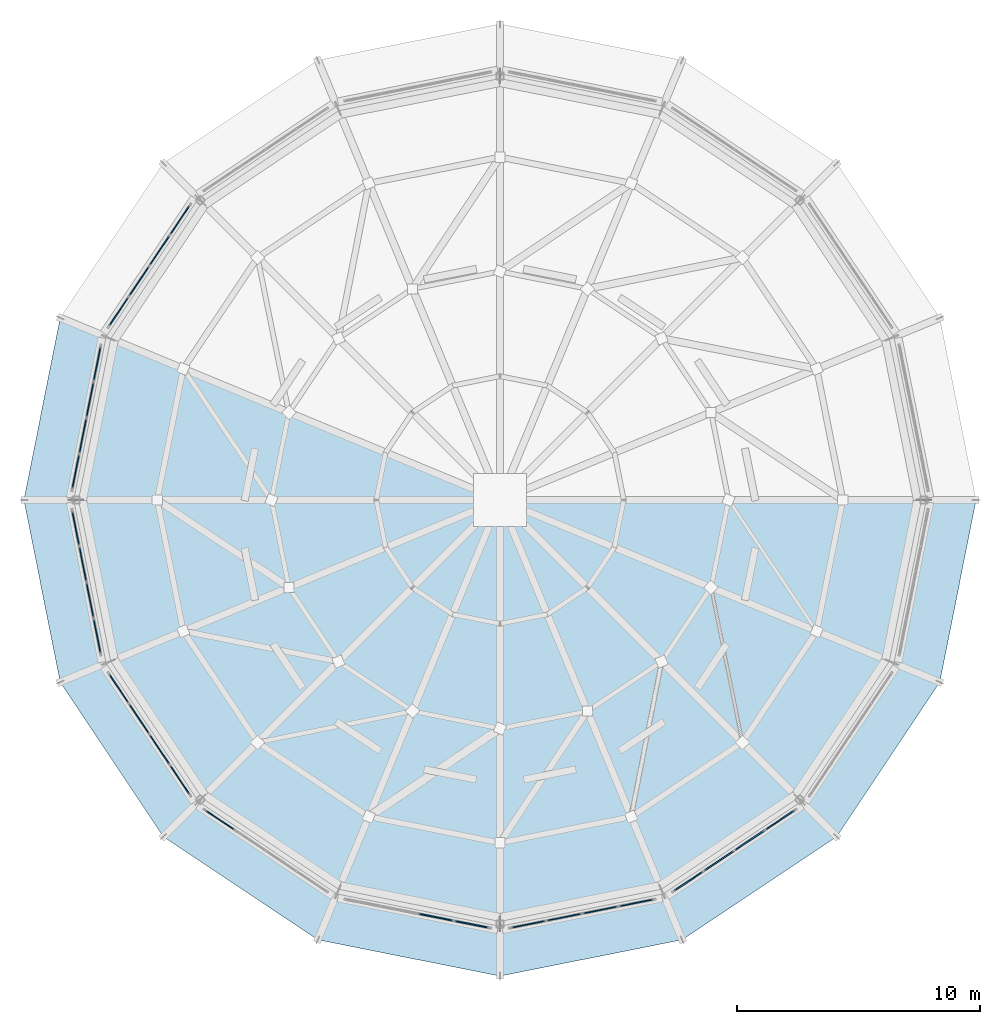
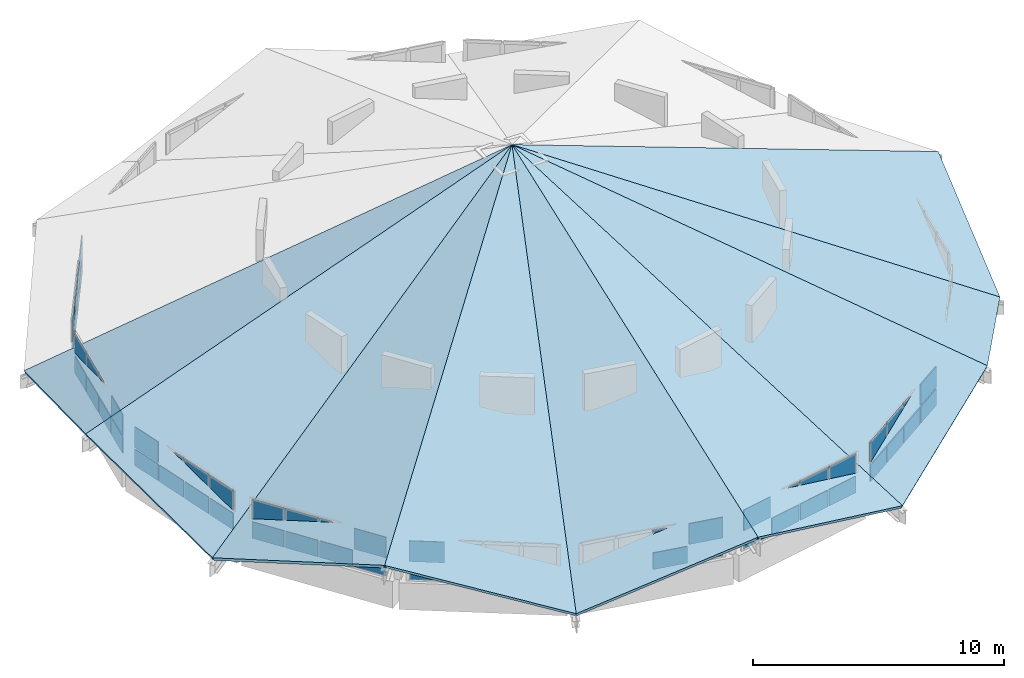
# One storey, part 9 of 18: 54 plates, 9 slabs, 8 elements without a shape of their own.
"""IFC4 building model written with IfcOpenShell, lengths in metres."""

from ifc_helpers import new_model, si_unit, direction, frame, origin, origin_2d, place, context, subcontext, project, spatial, polyline, rectangle, outline, extrude, material, layer, layer_set, type_object, element, aggregate, save


model = new_model("IFC4")

# Units and contexts
model_context = context("Model", 3, precision=1e-05, world=origin(), true_north=direction((0.0, 1.0)))
body_context = subcontext(model_context, "Body", "Model", "MODEL_VIEW")
ifc_project = project(units=[si_unit("LENGTHUNIT", "METRE"), si_unit("AREAUNIT", "SQUARE_METRE"), si_unit("VOLUMEUNIT", "CUBIC_METRE"), si_unit("PLANEANGLEUNIT", "RADIAN"), si_unit("MASSUNIT", "GRAM", prefix="KILO")], contexts=[model_context])

# Site, building, storey
site_placement = place(None, origin())
site = spatial("IfcSite", under=ifc_project, at=site_placement, CompositionType="ELEMENT")
building_placement = place(site_placement, origin())
building = spatial("IfcBuilding", under=site, at=building_placement, Name="Soyqirgoq Riverine Aquarium", CompositionType="ELEMENT")
storey_placement = place(building_placement, frame((0.0, 0.0, 29.39990234375)))
storey = spatial("IfcBuildingStorey", under=building, at=storey_placement, Name="RF", CompositionType="ELEMENT", Elevation=29.39990234375)

# Curtain wall, plates
ifc_material_1 = material(Name="Anodised aluminium acoustic solar-control clerestory glazing", Category="aluminium")
curtain_wall_type = type_object("IfcCurtainWallType", Name="CW_Clerestory_Ring", PredefinedType="NOTDEFINED", material=ifc_material_1)
curtain_wall_1_placement = place(storey_placement, origin())
curtain_wall_1 = element("IfcCurtainWall", 1, at=curtain_wall_1_placement, inside=storey, type_object=curtain_wall_type, Name="V1 RF Curtain Wall 029", PredefinedType="NOTDEFINED")
ifc_material_2 = material(Name="Triple insulated laminated low-E glass", Category="glass")
ifc_layer_1 = layer(ifc_material_2, 0.0458984375)
ifc_layer_set_1 = layer_set([ifc_layer_1], Name="Triple insulated laminated low-E glass")
plate_type_1 = type_object("IfcPlateType", Name="CWGlazedPanel_46", PredefinedType="CURTAIN_PANEL", material=ifc_layer_set_1)
plate_1_placement = place(storey_placement, frame((42.820556640625, 68.522705078125, 0.05517578125), z_axis=(0.0, 0.0, 1.0), x_axis=(-0.555578639957, -0.831463994905, 0.0)))
plate_1 = element("IfcPlate", 2, at=plate_1_placement, type_object=plate_type_1, Name="CW-02 panel 1.1", PredefinedType="CURTAIN_PANEL", context=body_context, shape_type="SweptSolid", body=[
    extrude(rectangle(XDim=1.419189453125, YDim=0.0458984375, at=origin_2d()), origin(), (0.0, 0.0, 1.0), 0.805419921875),
])
plate_2_placement = place(storey_placement, frame((42.820556640625, 68.522705078125, 0.935546875), z_axis=(0.0, 0.0, 1.0), x_axis=(-0.555578639957, -0.831463994905, 0.0)))
plate_2 = element("IfcPlate", 3, at=plate_2_placement, type_object=plate_type_1, Name="CW-02 panel 1.2", PredefinedType="CURTAIN_PANEL", context=body_context, shape_type="SweptSolid", body=[
    extrude(rectangle(XDim=1.419189453125, YDim=0.0458984375, at=origin_2d()), origin(), (0.0, 0.0, 1.0), 1.009521484375),
])
plate_3_placement = place(storey_placement, frame((41.987060546875, 67.275146484375, 0.05517578125), z_axis=(0.0, 0.0, 1.0), x_axis=(-0.555578639957, -0.831463994905, 0.0)))
plate_3 = element("IfcPlate", 4, at=plate_3_placement, type_object=plate_type_1, Name="CW-02 panel 2.1", PredefinedType="CURTAIN_PANEL", context=body_context, shape_type="SweptSolid", body=[
    extrude(rectangle(XDim=1.45166015625, YDim=0.0458984375, at=origin_2d()), origin(), (0.0, 0.0, 1.0), 0.805419921875),
])
plate_4_placement = place(storey_placement, frame((41.987060546875, 67.275146484375, 0.935546875), z_axis=(0.0, 0.0, 1.0), x_axis=(-0.555578639957, -0.831463994905, 0.0)))
plate_4 = element("IfcPlate", 5, at=plate_4_placement, type_object=plate_type_1, Name="CW-02 panel 2.2", PredefinedType="CURTAIN_PANEL", context=body_context, shape_type="SweptSolid", body=[
    extrude(rectangle(XDim=1.45166015625, YDim=0.0458984375, at=origin_2d()), origin(), (0.0, 0.0, 1.0), 1.009521484375),
])
plate_5_placement = place(storey_placement, frame((41.14453125, 66.01416015625, 0.05517578125), z_axis=(0.0, 0.0, 1.0), x_axis=(-0.555578639957, -0.831463994905, 0.0)))
plate_5 = element("IfcPlate", 6, at=plate_5_placement, type_object=plate_type_1, Name="CW-02 panel 3.1", PredefinedType="CURTAIN_PANEL", context=body_context, shape_type="SweptSolid", body=[
    extrude(rectangle(XDim=1.45166015625, YDim=0.0458984375, at=origin_2d()), origin(), (0.0, 0.0, 1.0), 0.805419921875),
])
plate_6_placement = place(storey_placement, frame((41.14453125, 66.01416015625, 0.935546875), z_axis=(0.0, 0.0, 1.0), x_axis=(-0.555578639957, -0.831463994905, 0.0)))
plate_6 = element("IfcPlate", 7, at=plate_6_placement, type_object=plate_type_1, Name="CW-02 panel 3.2", PredefinedType="CURTAIN_PANEL", context=body_context, shape_type="SweptSolid", body=[
    extrude(rectangle(XDim=1.45166015625, YDim=0.0458984375, at=origin_2d()), origin(), (0.0, 0.0, 1.0), 1.009521484375),
])
plate_7_placement = place(storey_placement, frame((40.31103515625, 64.7666015625, 0.05517578125), z_axis=(0.0, 0.0, 1.0), x_axis=(-0.555578639957, -0.831463994905, 0.0)))
plate_7 = element("IfcPlate", 8, at=plate_7_placement, type_object=plate_type_1, Name="CW-02 panel 4.1", PredefinedType="CURTAIN_PANEL", context=body_context, shape_type="SweptSolid", body=[
    extrude(rectangle(XDim=1.419189453125, YDim=0.0458984375, at=origin_2d()), origin(), (0.0, 0.0, 1.0), 0.805419921875),
])
plate_8_placement = place(storey_placement, frame((40.31103515625, 64.7666015625, 0.935546875), z_axis=(0.0, 0.0, 1.0), x_axis=(-0.555578639957, -0.831463994905, 0.0)))
plate_8 = element("IfcPlate", 9, at=plate_8_placement, type_object=plate_type_1, Name="CW-02 panel 4.2", PredefinedType="CURTAIN_PANEL", context=body_context, shape_type="SweptSolid", body=[
    extrude(rectangle(XDim=1.419189453125, YDim=0.0458984375, at=origin_2d()), origin(), (0.0, 0.0, 1.0), 1.009521484375),
])
aggregate(curtain_wall_1, [plate_1, plate_2, plate_3, plate_4, plate_5, plate_6, plate_7, plate_8])

curtain_wall_2_placement = place(storey_placement, origin())
curtain_wall_2 = element("IfcCurtainWall", 10, at=curtain_wall_2_placement, inside=storey, type_object=curtain_wall_type, Name="V1 RF Curtain Wall 031", PredefinedType="NOTDEFINED")
plate_9_placement = place(storey_placement, frame((39.414306640625, 62.60205078125, 0.05517578125), z_axis=(0.0, 0.0, 1.0), x_axis=(-0.19509525167, -0.980784299821, 0.0)))
plate_9 = element("IfcPlate", 11, at=plate_9_placement, type_object=plate_type_1, Name="CW-02 panel 1.1", PredefinedType="CURTAIN_PANEL", context=body_context, shape_type="SweptSolid", body=[
    extrude(rectangle(XDim=1.4189453125, YDim=0.0458984375, at=origin_2d()), origin(), (0.0, 0.0, 1.0), 0.805419921875),
])
plate_10_placement = place(storey_placement, frame((39.414306640625, 62.60205078125, 0.935546875), z_axis=(0.0, 0.0, 1.0), x_axis=(-0.19509525167, -0.980784299821, 0.0)))
plate_10 = element("IfcPlate", 12, at=plate_10_placement, type_object=plate_type_1, Name="CW-02 panel 1.2", PredefinedType="CURTAIN_PANEL", context=body_context, shape_type="SweptSolid", body=[
    extrude(rectangle(XDim=1.4189453125, YDim=0.0458984375, at=origin_2d()), origin(), (0.0, 0.0, 1.0), 1.009521484375),
])
plate_11_placement = place(storey_placement, frame((39.12158203125, 61.13037109375, 0.05517578125), z_axis=(0.0, 0.0, 1.0), x_axis=(-0.19509525167, -0.980784299821, 0.0)))
plate_11 = element("IfcPlate", 13, at=plate_11_placement, type_object=plate_type_1, Name="CW-02 panel 2.1", PredefinedType="CURTAIN_PANEL", context=body_context, shape_type="SweptSolid", body=[
    extrude(rectangle(XDim=1.45166015625, YDim=0.0458984375, at=origin_2d()), origin(), (0.0, 0.0, 1.0), 0.805419921875),
])
plate_12_placement = place(storey_placement, frame((39.12158203125, 61.13037109375, 0.935546875), z_axis=(0.0, 0.0, 1.0), x_axis=(-0.19509525167, -0.980784299821, 0.0)))
plate_12 = element("IfcPlate", 14, at=plate_12_placement, type_object=plate_type_1, Name="CW-02 panel 2.2", PredefinedType="CURTAIN_PANEL", context=body_context, shape_type="SweptSolid", body=[
    extrude(rectangle(XDim=1.45166015625, YDim=0.0458984375, at=origin_2d()), origin(), (0.0, 0.0, 1.0), 1.009521484375),
])
plate_13_placement = place(storey_placement, frame((38.82568359375, 59.64306640625, 0.05517578125), z_axis=(0.0, 0.0, 1.0), x_axis=(-0.19509525167, -0.980784299821, 0.0)))
plate_13 = element("IfcPlate", 15, at=plate_13_placement, type_object=plate_type_1, Name="CW-02 panel 3.1", PredefinedType="CURTAIN_PANEL", context=body_context, shape_type="SweptSolid", body=[
    extrude(rectangle(XDim=1.45166015625, YDim=0.0458984375, at=origin_2d()), origin(), (0.0, 0.0, 1.0), 0.805419921875),
])
plate_14_placement = place(storey_placement, frame((38.82568359375, 59.64306640625, 0.935546875), z_axis=(0.0, 0.0, 1.0), x_axis=(-0.19509525167, -0.980784299821, 0.0)))
plate_14 = element("IfcPlate", 16, at=plate_14_placement, type_object=plate_type_1, Name="CW-02 panel 3.2", PredefinedType="CURTAIN_PANEL", context=body_context, shape_type="SweptSolid", body=[
    extrude(rectangle(XDim=1.45166015625, YDim=0.0458984375, at=origin_2d()), origin(), (0.0, 0.0, 1.0), 1.009521484375),
])
plate_15_placement = place(storey_placement, frame((38.532958984375, 58.171630859375, 0.05517578125), z_axis=(0.0, 0.0, 1.0), x_axis=(-0.19509525167, -0.980784299821, 0.0)))
plate_15 = element("IfcPlate", 17, at=plate_15_placement, type_object=plate_type_1, Name="CW-02 panel 4.1", PredefinedType="CURTAIN_PANEL", context=body_context, shape_type="SweptSolid", body=[
    extrude(rectangle(XDim=1.4189453125, YDim=0.0458984375, at=origin_2d()), origin(), (0.0, 0.0, 1.0), 0.805419921875),
])
plate_16_placement = place(storey_placement, frame((38.532958984375, 58.171630859375, 0.935546875), z_axis=(0.0, 0.0, 1.0), x_axis=(-0.19509525167, -0.980784299821, 0.0)))
plate_16 = element("IfcPlate", 18, at=plate_16_placement, type_object=plate_type_1, Name="CW-02 panel 4.2", PredefinedType="CURTAIN_PANEL", context=body_context, shape_type="SweptSolid", body=[
    extrude(rectangle(XDim=1.4189453125, YDim=0.0458984375, at=origin_2d()), origin(), (0.0, 0.0, 1.0), 1.009521484375),
])
aggregate(curtain_wall_2, [plate_9, plate_10, plate_11, plate_12, plate_13, plate_14, plate_15, plate_16])

curtain_wall_3_placement = place(storey_placement, origin())
curtain_wall_3 = element("IfcCurtainWall", 19, at=curtain_wall_3_placement, inside=storey, type_object=curtain_wall_type, Name="V1 RF Curtain Wall 033", PredefinedType="NOTDEFINED")
plate_17_placement = place(storey_placement, frame((38.532958984375, 55.828369140625, 0.05517578125), z_axis=(0.0, 0.0, 1.0), x_axis=(0.19509525167, -0.980784299821, 0.0)))
plate_17 = element("IfcPlate", 20, at=plate_17_placement, type_object=plate_type_1, Name="CW-02 panel 1.1", PredefinedType="CURTAIN_PANEL", context=body_context, shape_type="SweptSolid", body=[
    extrude(rectangle(XDim=1.4189453125, YDim=0.0458984375, at=origin_2d()), origin(), (0.0, 0.0, 1.0), 0.805419921875),
])
plate_18_placement = place(storey_placement, frame((38.532958984375, 55.828369140625, 0.935546875), z_axis=(0.0, 0.0, 1.0), x_axis=(0.19509525167, -0.980784299821, 0.0)))
plate_18 = element("IfcPlate", 21, at=plate_18_placement, type_object=plate_type_1, Name="CW-02 panel 1.2", PredefinedType="CURTAIN_PANEL", context=body_context, shape_type="SweptSolid", body=[
    extrude(rectangle(XDim=1.4189453125, YDim=0.0458984375, at=origin_2d()), origin(), (0.0, 0.0, 1.0), 1.009521484375),
])
plate_19_placement = place(storey_placement, frame((38.82568359375, 54.35693359375, 0.05517578125), z_axis=(0.0, 0.0, 1.0), x_axis=(0.19509525167, -0.980784299821, 0.0)))
plate_19 = element("IfcPlate", 22, at=plate_19_placement, type_object=plate_type_1, Name="CW-02 panel 2.1", PredefinedType="CURTAIN_PANEL", context=body_context, shape_type="SweptSolid", body=[
    extrude(rectangle(XDim=1.45166015625, YDim=0.0458984375, at=origin_2d()), origin(), (0.0, 0.0, 1.0), 0.805419921875),
])
plate_20_placement = place(storey_placement, frame((38.82568359375, 54.35693359375, 0.935546875), z_axis=(0.0, 0.0, 1.0), x_axis=(0.19509525167, -0.980784299821, 0.0)))
plate_20 = element("IfcPlate", 23, at=plate_20_placement, type_object=plate_type_1, Name="CW-02 panel 2.2", PredefinedType="CURTAIN_PANEL", context=body_context, shape_type="SweptSolid", body=[
    extrude(rectangle(XDim=1.45166015625, YDim=0.0458984375, at=origin_2d()), origin(), (0.0, 0.0, 1.0), 1.009521484375),
])
plate_21_placement = place(storey_placement, frame((39.12158203125, 52.86962890625, 0.05517578125), z_axis=(0.0, 0.0, 1.0), x_axis=(0.19509525167, -0.980784299821, 0.0)))
plate_21 = element("IfcPlate", 24, at=plate_21_placement, type_object=plate_type_1, Name="CW-02 panel 3.1", PredefinedType="CURTAIN_PANEL", context=body_context, shape_type="SweptSolid", body=[
    extrude(rectangle(XDim=1.45166015625, YDim=0.0458984375, at=origin_2d()), origin(), (0.0, 0.0, 1.0), 0.805419921875),
])
plate_22_placement = place(storey_placement, frame((39.12158203125, 52.86962890625, 0.935546875), z_axis=(0.0, 0.0, 1.0), x_axis=(0.19509525167, -0.980784299821, 0.0)))
plate_22 = element("IfcPlate", 25, at=plate_22_placement, type_object=plate_type_1, Name="CW-02 panel 3.2", PredefinedType="CURTAIN_PANEL", context=body_context, shape_type="SweptSolid", body=[
    extrude(rectangle(XDim=1.45166015625, YDim=0.0458984375, at=origin_2d()), origin(), (0.0, 0.0, 1.0), 1.009521484375),
])
plate_23_placement = place(storey_placement, frame((39.414306640625, 51.39794921875, 0.05517578125), z_axis=(0.0, 0.0, 1.0), x_axis=(0.19509525167, -0.980784299821, 0.0)))
plate_23 = element("IfcPlate", 26, at=plate_23_placement, type_object=plate_type_1, Name="CW-02 panel 4.1", PredefinedType="CURTAIN_PANEL", context=body_context, shape_type="SweptSolid", body=[
    extrude(rectangle(XDim=1.4189453125, YDim=0.0458984375, at=origin_2d()), origin(), (0.0, 0.0, 1.0), 0.805419921875),
])
plate_24_placement = place(storey_placement, frame((39.414306640625, 51.39794921875, 0.935546875), z_axis=(0.0, 0.0, 1.0), x_axis=(0.19509525167, -0.980784299821, 0.0)))
plate_24 = element("IfcPlate", 27, at=plate_24_placement, type_object=plate_type_1, Name="CW-02 panel 4.2", PredefinedType="CURTAIN_PANEL", context=body_context, shape_type="SweptSolid", body=[
    extrude(rectangle(XDim=1.4189453125, YDim=0.0458984375, at=origin_2d()), origin(), (0.0, 0.0, 1.0), 1.009521484375),
])
aggregate(curtain_wall_3, [plate_17, plate_18, plate_19, plate_20, plate_21, plate_22, plate_23, plate_24])

curtain_wall_4_placement = place(storey_placement, origin())
curtain_wall_4 = element("IfcCurtainWall", 28, at=curtain_wall_4_placement, inside=storey, type_object=curtain_wall_type, Name="V1 RF Curtain Wall 040", PredefinedType="NOTDEFINED")
plate_25_placement = place(storey_placement, frame((40.31103515625, 49.2333984375, 0.05517578125), z_axis=(0.0, 0.0, 1.0), x_axis=(0.555578639957, -0.831463994905, 0.0)))
plate_25 = element("IfcPlate", 29, at=plate_25_placement, type_object=plate_type_1, Name="CW-02 panel 1.1", PredefinedType="CURTAIN_PANEL", context=body_context, shape_type="SweptSolid", body=[
    extrude(rectangle(XDim=1.419189453125, YDim=0.0458984375, at=origin_2d()), origin(), (0.0, 0.0, 1.0), 0.805419921875),
])
plate_26_placement = place(storey_placement, frame((40.31103515625, 49.2333984375, 0.935546875), z_axis=(0.0, 0.0, 1.0), x_axis=(0.555578639957, -0.831463994905, 0.0)))
plate_26 = element("IfcPlate", 30, at=plate_26_placement, type_object=plate_type_1, Name="CW-02 panel 1.2", PredefinedType="CURTAIN_PANEL", context=body_context, shape_type="SweptSolid", body=[
    extrude(rectangle(XDim=1.419189453125, YDim=0.0458984375, at=origin_2d()), origin(), (0.0, 0.0, 1.0), 1.009521484375),
])
plate_27_placement = place(storey_placement, frame((41.14453125, 47.98583984375, 0.05517578125), z_axis=(0.0, 0.0, 1.0), x_axis=(0.555578639957, -0.831463994905, 0.0)))
plate_27 = element("IfcPlate", 31, at=plate_27_placement, type_object=plate_type_1, Name="CW-02 panel 2.1", PredefinedType="CURTAIN_PANEL", context=body_context, shape_type="SweptSolid", body=[
    extrude(rectangle(XDim=1.45166015625, YDim=0.0458984375, at=origin_2d()), origin(), (0.0, 0.0, 1.0), 0.805419921875),
])
plate_28_placement = place(storey_placement, frame((41.14453125, 47.98583984375, 0.935546875), z_axis=(0.0, 0.0, 1.0), x_axis=(0.555578639957, -0.831463994905, 0.0)))
plate_28 = element("IfcPlate", 32, at=plate_28_placement, type_object=plate_type_1, Name="CW-02 panel 2.2", PredefinedType="CURTAIN_PANEL", context=body_context, shape_type="SweptSolid", body=[
    extrude(rectangle(XDim=1.45166015625, YDim=0.0458984375, at=origin_2d()), origin(), (0.0, 0.0, 1.0), 1.009521484375),
])
plate_29_placement = place(storey_placement, frame((41.987060546875, 46.724853515625, 0.05517578125), z_axis=(0.0, 0.0, 1.0), x_axis=(0.555578639957, -0.831463994905, 0.0)))
plate_29 = element("IfcPlate", 33, at=plate_29_placement, type_object=plate_type_1, Name="CW-02 panel 3.1", PredefinedType="CURTAIN_PANEL", context=body_context, shape_type="SweptSolid", body=[
    extrude(rectangle(XDim=1.45166015625, YDim=0.0458984375, at=origin_2d()), origin(), (0.0, 0.0, 1.0), 0.805419921875),
])
plate_30_placement = place(storey_placement, frame((41.987060546875, 46.724853515625, 0.935546875), z_axis=(0.0, 0.0, 1.0), x_axis=(0.555578639957, -0.831463994905, 0.0)))
plate_30 = element("IfcPlate", 34, at=plate_30_placement, type_object=plate_type_1, Name="CW-02 panel 3.2", PredefinedType="CURTAIN_PANEL", context=body_context, shape_type="SweptSolid", body=[
    extrude(rectangle(XDim=1.45166015625, YDim=0.0458984375, at=origin_2d()), origin(), (0.0, 0.0, 1.0), 1.009521484375),
])
plate_31_placement = place(storey_placement, frame((42.820556640625, 45.477294921875, 0.05517578125), z_axis=(0.0, 0.0, 1.0), x_axis=(0.555578639957, -0.831463994905, 0.0)))
plate_31 = element("IfcPlate", 35, at=plate_31_placement, type_object=plate_type_1, Name="CW-02 panel 4.1", PredefinedType="CURTAIN_PANEL", context=body_context, shape_type="SweptSolid", body=[
    extrude(rectangle(XDim=1.419189453125, YDim=0.0458984375, at=origin_2d()), origin(), (0.0, 0.0, 1.0), 0.805419921875),
])
plate_32_placement = place(storey_placement, frame((42.820556640625, 45.477294921875, 0.935546875), z_axis=(0.0, 0.0, 1.0), x_axis=(0.555578639957, -0.831463994905, 0.0)))
plate_32 = element("IfcPlate", 36, at=plate_32_placement, type_object=plate_type_1, Name="CW-02 panel 4.2", PredefinedType="CURTAIN_PANEL", context=body_context, shape_type="SweptSolid", body=[
    extrude(rectangle(XDim=1.419189453125, YDim=0.0458984375, at=origin_2d()), origin(), (0.0, 0.0, 1.0), 1.009521484375),
])
aggregate(curtain_wall_4, [plate_25, plate_26, plate_27, plate_28, plate_29, plate_30, plate_31, plate_32])

curtain_wall_5_placement = place(storey_placement, origin())
curtain_wall_5 = element("IfcCurtainWall", 37, at=curtain_wall_5_placement, inside=storey, type_object=curtain_wall_type, Name="V1 RF Curtain Wall 047", PredefinedType="NOTDEFINED")
plate_33_placement = place(storey_placement, frame((44.477294921875, 43.820556640625, 0.05517578125), z_axis=(0.0, 0.0, 1.0), x_axis=(0.831463994905, -0.555578639957, 0.0)))
plate_33 = element("IfcPlate", 38, at=plate_33_placement, type_object=plate_type_1, Name="CW-02 panel 1.1", PredefinedType="CURTAIN_PANEL", context=body_context, shape_type="SweptSolid", body=[
    extrude(rectangle(XDim=1.419189453125, YDim=0.0458984375, at=origin_2d()), origin(), (0.0, 0.0, 1.0), 0.805419921875),
])
plate_34_placement = place(storey_placement, frame((44.477294921875, 43.820556640625, 0.935546875), z_axis=(0.0, 0.0, 1.0), x_axis=(0.831463994905, -0.555578639957, 0.0)))
plate_34 = element("IfcPlate", 39, at=plate_34_placement, type_object=plate_type_1, Name="CW-02 panel 1.2", PredefinedType="CURTAIN_PANEL", context=body_context, shape_type="SweptSolid", body=[
    extrude(rectangle(XDim=1.419189453125, YDim=0.0458984375, at=origin_2d()), origin(), (0.0, 0.0, 1.0), 1.009521484375),
])
aggregate(curtain_wall_5, [plate_33, plate_34])

curtain_wall_6_placement = place(storey_placement, origin())
curtain_wall_6 = element("IfcCurtainWall", 40, at=curtain_wall_6_placement, inside=storey, type_object=curtain_wall_type, Name="V1 RF Curtain Wall 061", PredefinedType="NOTDEFINED")
plate_35_placement = place(storey_placement, frame((57.171630859375, 39.532958984375, 0.05517578125), z_axis=(0.0, 0.0, 1.0), x_axis=(0.980784299821, 0.19509525167, 0.0)))
plate_35 = element("IfcPlate", 41, at=plate_35_placement, type_object=plate_type_1, Name="CW-02 panel 1.1", PredefinedType="CURTAIN_PANEL", context=body_context, shape_type="SweptSolid", body=[
    extrude(rectangle(XDim=1.4189453125, YDim=0.0458984375, at=origin_2d()), origin(), (0.0, 0.0, 1.0), 0.805419921875),
])
plate_36_placement = place(storey_placement, frame((57.171630859375, 39.532958984375, 0.935546875), z_axis=(0.0, 0.0, 1.0), x_axis=(0.980784299821, 0.19509525167, 0.0)))
plate_36 = element("IfcPlate", 42, at=plate_36_placement, type_object=plate_type_1, Name="CW-02 panel 1.2", PredefinedType="CURTAIN_PANEL", context=body_context, shape_type="SweptSolid", body=[
    extrude(rectangle(XDim=1.4189453125, YDim=0.0458984375, at=origin_2d()), origin(), (0.0, 0.0, 1.0), 1.009521484375),
])
plate_37_placement = place(storey_placement, frame((58.64306640625, 39.82568359375, 0.05517578125), z_axis=(0.0, 0.0, 1.0), x_axis=(0.980784299821, 0.19509525167, 0.0)))
plate_37 = element("IfcPlate", 43, at=plate_37_placement, type_object=plate_type_1, Name="CW-02 panel 2.1", PredefinedType="CURTAIN_PANEL", context=body_context, shape_type="SweptSolid", body=[
    extrude(rectangle(XDim=1.45166015625, YDim=0.0458984375, at=origin_2d()), origin(), (0.0, 0.0, 1.0), 0.805419921875),
])
plate_38_placement = place(storey_placement, frame((58.64306640625, 39.82568359375, 0.935546875), z_axis=(0.0, 0.0, 1.0), x_axis=(0.980784299821, 0.19509525167, 0.0)))
plate_38 = element("IfcPlate", 44, at=plate_38_placement, type_object=plate_type_1, Name="CW-02 panel 2.2", PredefinedType="CURTAIN_PANEL", context=body_context, shape_type="SweptSolid", body=[
    extrude(rectangle(XDim=1.45166015625, YDim=0.0458984375, at=origin_2d()), origin(), (0.0, 0.0, 1.0), 1.009521484375),
])
plate_39_placement = place(storey_placement, frame((60.13037109375, 40.12158203125, 0.05517578125), z_axis=(0.0, 0.0, 1.0), x_axis=(0.980784299821, 0.19509525167, 0.0)))
plate_39 = element("IfcPlate", 45, at=plate_39_placement, type_object=plate_type_1, Name="CW-02 panel 3.1", PredefinedType="CURTAIN_PANEL", context=body_context, shape_type="SweptSolid", body=[
    extrude(rectangle(XDim=1.45166015625, YDim=0.0458984375, at=origin_2d()), origin(), (0.0, 0.0, 1.0), 0.805419921875),
])
plate_40_placement = place(storey_placement, frame((60.13037109375, 40.12158203125, 0.935546875), z_axis=(0.0, 0.0, 1.0), x_axis=(0.980784299821, 0.19509525167, 0.0)))
plate_40 = element("IfcPlate", 46, at=plate_40_placement, type_object=plate_type_1, Name="CW-02 panel 3.2", PredefinedType="CURTAIN_PANEL", context=body_context, shape_type="SweptSolid", body=[
    extrude(rectangle(XDim=1.45166015625, YDim=0.0458984375, at=origin_2d()), origin(), (0.0, 0.0, 1.0), 1.009521484375),
])
plate_41_placement = place(storey_placement, frame((61.60205078125, 40.414306640625, 0.05517578125), z_axis=(0.0, 0.0, 1.0), x_axis=(0.980784299821, 0.19509525167, 0.0)))
plate_41 = element("IfcPlate", 47, at=plate_41_placement, type_object=plate_type_1, Name="CW-02 panel 4.1", PredefinedType="CURTAIN_PANEL", context=body_context, shape_type="SweptSolid", body=[
    extrude(rectangle(XDim=1.4189453125, YDim=0.0458984375, at=origin_2d()), origin(), (0.0, 0.0, 1.0), 0.805419921875),
])
plate_42_placement = place(storey_placement, frame((61.60205078125, 40.414306640625, 0.935546875), z_axis=(0.0, 0.0, 1.0), x_axis=(0.980784299821, 0.19509525167, 0.0)))
plate_42 = element("IfcPlate", 48, at=plate_42_placement, type_object=plate_type_1, Name="CW-02 panel 4.2", PredefinedType="CURTAIN_PANEL", context=body_context, shape_type="SweptSolid", body=[
    extrude(rectangle(XDim=1.4189453125, YDim=0.0458984375, at=origin_2d()), origin(), (0.0, 0.0, 1.0), 1.009521484375),
])
aggregate(curtain_wall_6, [plate_35, plate_36, plate_37, plate_38, plate_39, plate_40, plate_41, plate_42])

curtain_wall_7_placement = place(storey_placement, origin())
curtain_wall_7 = element("IfcCurtainWall", 49, at=curtain_wall_7_placement, inside=storey, type_object=curtain_wall_type, Name="V1 RF Curtain Wall 054", PredefinedType="NOTDEFINED")
ifc_material_3 = material(Name="Insulated shadow-box aluminium spandrel panel", Category="aluminium")
ifc_layer_2 = layer(ifc_material_3, 0.06005859375)
ifc_layer_set_2 = layer_set([ifc_layer_2], Name="Insulated shadow-box aluminium spandrel panel")
plate_type_2 = type_object("IfcPlateType", Name="CWSpandrelPanel_60", PredefinedType="CURTAIN_PANEL", material=ifc_layer_set_2)
plate_43_placement = place(storey_placement, frame((53.35693359375, 39.82568359375, 0.05517578125), z_axis=(0.0, 0.0, 1.0), x_axis=(0.980784299821, -0.19509525167, 0.0)))
plate_43 = element("IfcPlate", 50, at=plate_43_placement, type_object=plate_type_2, Name="CW-02 panel 3.1", PredefinedType="CURTAIN_PANEL", context=body_context, shape_type="SweptSolid", body=[
    extrude(rectangle(XDim=1.45166015625, YDim=0.06005859375, at=origin_2d()), origin(), (0.0, 0.0, 1.0), 0.805419921875),
])
plate_44_placement = place(storey_placement, frame((53.35693359375, 39.82568359375, 0.935546875), z_axis=(0.0, 0.0, 1.0), x_axis=(0.980784299821, -0.19509525167, 0.0)))
plate_44 = element("IfcPlate", 51, at=plate_44_placement, type_object=plate_type_2, Name="CW-02 panel 3.2", PredefinedType="CURTAIN_PANEL", context=body_context, shape_type="SweptSolid", body=[
    extrude(rectangle(XDim=1.45166015625, YDim=0.06005859375, at=origin_2d()), origin(), (0.0, 0.0, 1.0), 1.009521484375),
])
plate_45_placement = place(storey_placement, frame((54.828369140625, 39.532958984375, 0.05517578125), z_axis=(0.0, 0.0, 1.0), x_axis=(0.980784299821, -0.19509525167, 0.0)))
plate_45 = element("IfcPlate", 52, at=plate_45_placement, type_object=plate_type_2, Name="CW-02 panel 4.1", PredefinedType="CURTAIN_PANEL", context=body_context, shape_type="SweptSolid", body=[
    extrude(rectangle(XDim=1.4189453125, YDim=0.06005859375, at=origin_2d()), origin(), (0.0, 0.0, 1.0), 0.805419921875),
])
plate_46_placement = place(storey_placement, frame((54.828369140625, 39.532958984375, 0.935546875), z_axis=(0.0, 0.0, 1.0), x_axis=(0.980784299821, -0.19509525167, 0.0)))
plate_46 = element("IfcPlate", 53, at=plate_46_placement, type_object=plate_type_2, Name="CW-02 panel 4.2", PredefinedType="CURTAIN_PANEL", context=body_context, shape_type="SweptSolid", body=[
    extrude(rectangle(XDim=1.4189453125, YDim=0.06005859375, at=origin_2d()), origin(), (0.0, 0.0, 1.0), 1.009521484375),
])
aggregate(curtain_wall_7, [plate_43, plate_44, plate_45, plate_46])

curtain_wall_8_placement = place(storey_placement, origin())
curtain_wall_8 = element("IfcCurtainWall", 54, at=curtain_wall_8_placement, inside=storey, type_object=curtain_wall_type, Name="V1 RF Curtain Wall 066", PredefinedType="NOTDEFINED")
plate_47_placement = place(storey_placement, frame((63.7666015625, 41.31103515625, 0.05517578125), z_axis=(0.0, 0.0, 1.0), x_axis=(0.831463994905, 0.555578639957, 0.0)))
plate_47 = element("IfcPlate", 55, at=plate_47_placement, type_object=plate_type_2, Name="CW-02 panel 1.1", PredefinedType="CURTAIN_PANEL", context=body_context, shape_type="SweptSolid", body=[
    extrude(rectangle(XDim=1.419189453125, YDim=0.06005859375, at=origin_2d()), origin(), (0.0, 0.0, 1.0), 0.805419921875),
])
plate_48_placement = place(storey_placement, frame((63.7666015625, 41.31103515625, 0.935546875), z_axis=(0.0, 0.0, 1.0), x_axis=(0.831463994905, 0.555578639957, 0.0)))
plate_48 = element("IfcPlate", 56, at=plate_48_placement, type_object=plate_type_2, Name="CW-02 panel 1.2", PredefinedType="CURTAIN_PANEL", context=body_context, shape_type="SweptSolid", body=[
    extrude(rectangle(XDim=1.419189453125, YDim=0.06005859375, at=origin_2d()), origin(), (0.0, 0.0, 1.0), 1.009521484375),
])
plate_49_placement = place(storey_placement, frame((65.01416015625, 42.14453125, 0.05517578125), z_axis=(0.0, 0.0, 1.0), x_axis=(0.831463994905, 0.555578639957, 0.0)))
plate_49 = element("IfcPlate", 57, at=plate_49_placement, type_object=plate_type_2, Name="CW-02 panel 2.1", PredefinedType="CURTAIN_PANEL", context=body_context, shape_type="SweptSolid", body=[
    extrude(rectangle(XDim=1.45166015625, YDim=0.06005859375, at=origin_2d()), origin(), (0.0, 0.0, 1.0), 0.805419921875),
])
plate_50_placement = place(storey_placement, frame((65.01416015625, 42.14453125, 0.935546875), z_axis=(0.0, 0.0, 1.0), x_axis=(0.831463994905, 0.555578639957, 0.0)))
plate_50 = element("IfcPlate", 58, at=plate_50_placement, type_object=plate_type_2, Name="CW-02 panel 2.2", PredefinedType="CURTAIN_PANEL", context=body_context, shape_type="SweptSolid", body=[
    extrude(rectangle(XDim=1.45166015625, YDim=0.06005859375, at=origin_2d()), origin(), (0.0, 0.0, 1.0), 1.009521484375),
])
plate_51_placement = place(storey_placement, frame((66.275146484375, 42.987060546875, 0.05517578125), z_axis=(0.0, 0.0, 1.0), x_axis=(0.831463994905, 0.555578639957, 0.0)))
plate_51 = element("IfcPlate", 59, at=plate_51_placement, type_object=plate_type_2, Name="CW-02 panel 3.1", PredefinedType="CURTAIN_PANEL", context=body_context, shape_type="SweptSolid", body=[
    extrude(rectangle(XDim=1.45166015625, YDim=0.06005859375, at=origin_2d()), origin(), (0.0, 0.0, 1.0), 0.805419921875),
])
plate_52_placement = place(storey_placement, frame((66.275146484375, 42.987060546875, 0.935546875), z_axis=(0.0, 0.0, 1.0), x_axis=(0.831463994905, 0.555578639957, 0.0)))
plate_52 = element("IfcPlate", 60, at=plate_52_placement, type_object=plate_type_2, Name="CW-02 panel 3.2", PredefinedType="CURTAIN_PANEL", context=body_context, shape_type="SweptSolid", body=[
    extrude(rectangle(XDim=1.45166015625, YDim=0.06005859375, at=origin_2d()), origin(), (0.0, 0.0, 1.0), 1.009521484375),
])
plate_53_placement = place(storey_placement, frame((67.522705078125, 43.820556640625, 0.05517578125), z_axis=(0.0, 0.0, 1.0), x_axis=(0.831463994905, 0.555578639957, 0.0)))
plate_53 = element("IfcPlate", 61, at=plate_53_placement, type_object=plate_type_2, Name="CW-02 panel 4.1", PredefinedType="CURTAIN_PANEL", context=body_context, shape_type="SweptSolid", body=[
    extrude(rectangle(XDim=1.419189453125, YDim=0.06005859375, at=origin_2d()), origin(), (0.0, 0.0, 1.0), 0.805419921875),
])
plate_54_placement = place(storey_placement, frame((67.522705078125, 43.820556640625, 0.935546875), z_axis=(0.0, 0.0, 1.0), x_axis=(0.831463994905, 0.555578639957, 0.0)))
plate_54 = element("IfcPlate", 62, at=plate_54_placement, type_object=plate_type_2, Name="CW-02 panel 4.2", PredefinedType="CURTAIN_PANEL", context=body_context, shape_type="SweptSolid", body=[
    extrude(rectangle(XDim=1.419189453125, YDim=0.06005859375, at=origin_2d()), origin(), (0.0, 0.0, 1.0), 1.009521484375),
])
aggregate(curtain_wall_8, [plate_47, plate_48, plate_49, plate_50, plate_51, plate_52, plate_53, plate_54])

# Slabs
ifc_material_4 = material(Name="Lightweight concrete LC35/38", Category="concrete")
ifc_layer_3 = layer(ifc_material_4, 0.159912109375)
ifc_layer_set_3 = layer_set([ifc_layer_3], Name="Lightweight concrete LC35/38")
slab_type_1 = type_object("IfcSlabType", Name="FoldedRoof_160_LC35", PredefinedType="ROOF", material=ifc_layer_set_3)
slab_1_placement = place(storey_placement, frame((56.0, 57.0, 9.2001953125), z_axis=(-0.328523985646, -0.303821602147, 0.894295490833), x_axis=(-0.938667288056, 0.0, -0.34482419047)))
element("IfcSlab", 63, at=slab_1_placement, inside=storey, type_object=slab_type_1, Name="V1 Radial Folded-Plate Roof Facet 09", PredefinedType="ROOF", context=body_context, shape_type="SweptSolid", body=[
    extrude(outline(polyline([(0.0, 0.0), (20.88077203248682, 0.0), (20.169752819531627, 7.872636132270651), (0.0, 0.0)])), origin(), (0.0, 0.0, -1.0), 0.159912109375),
])
slab_2_placement = place(storey_placement, frame((56.0, 57.0, 9.2001953125), z_axis=(-0.017467935053, -0.447134935243, 0.894295935879), x_axis=(-0.663738078891, -0.663738078891, -0.344823904711)))
element("IfcSlab", 64, at=slab_2_placement, inside=storey, type_object=slab_type_1, Name="V1 Radial Folded-Plate Roof Facet 11", PredefinedType="ROOF", context=body_context, shape_type="SweptSolid", body=[
    extrude(outline(polyline([(0.0, 0.0), (20.88078933659829, 8.881784197001252e-16), (20.16971645414268, 7.872729300034623), (0.0, 0.0)])), origin(), (0.0, 0.0, -1.0), 0.159912109375),
])
slab_3_placement = place(storey_placement, frame((56.0, 57.0, 9.2001953125), z_axis=(0.303821602147, -0.328523985646, 0.894295490833), x_axis=(0.0, -0.938667288056, -0.34482419047)))
element("IfcSlab", 65, at=slab_3_placement, inside=storey, type_object=slab_type_1, Name="V1 Radial Folded-Plate Roof Facet 13", PredefinedType="ROOF", context=body_context, shape_type="SweptSolid", body=[
    extrude(outline(polyline([(0.0, 0.0), (20.88077203248682, 0.0), (20.169752819531627, 7.872636132270651), (0.0, 0.0)])), origin(), (0.0, 0.0, -1.0), 0.159912109375),
])
slab_4_placement = place(storey_placement, frame((56.0, 57.0, 9.2001953125), z_axis=(0.447134935243, -0.017467935053, 0.894295935879), x_axis=(0.663738078891, -0.663738078891, -0.344823904711)))
element("IfcSlab", 66, at=slab_4_placement, inside=storey, type_object=slab_type_1, Name="V1 Radial Folded-Plate Roof Facet 15", PredefinedType="ROOF", context=body_context, shape_type="SweptSolid", body=[
    extrude(outline(polyline([(0.0, 0.0), (20.88078933659829, 8.881784197001252e-16), (20.16971645414268, 7.872729300034623), (0.0, 0.0)])), origin(), (0.0, 0.0, -1.0), 0.159912109375),
])
ifc_material_5 = material(Name="Lightweight concrete LC35/38", Category="concrete")
ifc_layer_4 = layer(ifc_material_5, 0.179931640625)
ifc_layer_set_4 = layer_set([ifc_layer_4], Name="Lightweight concrete LC35/38")
slab_type_2 = type_object("IfcSlabType", Name="FoldedRoof_180_LC35", PredefinedType="ROOF", material=ifc_layer_set_4)
slab_5_placement = place(storey_placement, frame((56.0, 57.0, 9.2001953125), z_axis=(-0.328523985646, 0.303821602147, 0.894295490833), x_axis=(-0.836326324469, 0.346415226376, -0.42491736836)))
element("IfcSlab", 67, at=slab_5_placement, inside=storey, type_object=slab_type_2, Name="V1 Radial Folded-Plate Roof Facet 08", PredefinedType="ROOF", context=body_context, shape_type="SweptSolid", body=[
    extrude(outline(polyline([(0.0, 0.0), (21.651728071268064, -2.220446049250313e-16), (19.451565675957724, 7.59231410220804), (0.0, 0.0)])), origin(), (0.0, 0.0, -1.0), 0.179931640625),
])
slab_6_placement = place(storey_placement, frame((56.0, 57.0, 9.2001953125), z_axis=(-0.447134935243, -0.017467935053, 0.894295935879), x_axis=(-0.836326324469, -0.346415226376, -0.42491736836)))
element("IfcSlab", 68, at=slab_6_placement, inside=storey, type_object=slab_type_2, Name="V1 Radial Folded-Plate Roof Facet 10", PredefinedType="ROOF", context=body_context, shape_type="SweptSolid", body=[
    extrude(outline(polyline([(0.0, 0.0), (21.651728071268064, -2.220446049250313e-16), (19.451546725120483, 7.592410244438296), (0.0, 0.0)])), origin(), (0.0, 0.0, -1.0), 0.179931640625),
])
slab_7_placement = place(storey_placement, frame((56.0, 57.0, 9.2001953125), z_axis=(-0.303821602147, -0.328523985646, 0.894295490833), x_axis=(-0.346415226376, -0.836326324469, -0.42491736836)))
element("IfcSlab", 69, at=slab_7_placement, inside=storey, type_object=slab_type_2, Name="V1 Radial Folded-Plate Roof Facet 12", PredefinedType="ROOF", context=body_context, shape_type="SweptSolid", body=[
    extrude(outline(polyline([(0.0, 0.0), (21.651728071268064, -2.220446049250313e-16), (19.451565675957724, 7.59231410220804), (0.0, 0.0)])), origin(), (0.0, 0.0, -1.0), 0.179931640625),
])
slab_8_placement = place(storey_placement, frame((56.0, 57.0, 9.2001953125), z_axis=(0.017467935053, -0.447134935243, 0.894295935879), x_axis=(0.346415226376, -0.836326324469, -0.42491736836)))
element("IfcSlab", 70, at=slab_8_placement, inside=storey, type_object=slab_type_2, Name="V1 Radial Folded-Plate Roof Facet 14", PredefinedType="ROOF", context=body_context, shape_type="SweptSolid", body=[
    extrude(outline(polyline([(0.0, 0.0), (21.651728071268064, -2.220446049250313e-16), (19.451546725120483, 7.592410244438296), (0.0, 0.0)])), origin(), (0.0, 0.0, -1.0), 0.179931640625),
])
slab_9_placement = place(storey_placement, frame((56.0, 57.0, 9.2001953125), z_axis=(0.328523985646, -0.303821602147, 0.894295490833), x_axis=(0.836326324469, -0.346415226376, -0.42491736836)))
element("IfcSlab", 71, at=slab_9_placement, inside=storey, type_object=slab_type_2, Name="V1 Radial Folded-Plate Roof Facet 16", PredefinedType="ROOF", context=body_context, shape_type="SweptSolid", body=[
    extrude(outline(polyline([(0.0, 0.0), (21.651728071268064, -2.220446049250313e-16), (19.451565675957724, 7.59231410220804), (0.0, 0.0)])), origin(), (0.0, 0.0, -1.0), 0.179931640625),
])

save(model, "model.ifc")
